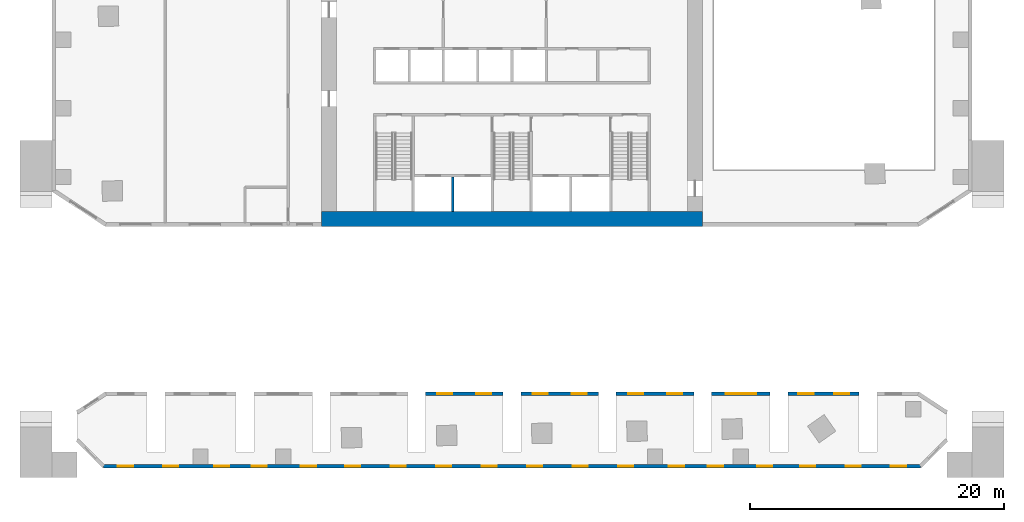
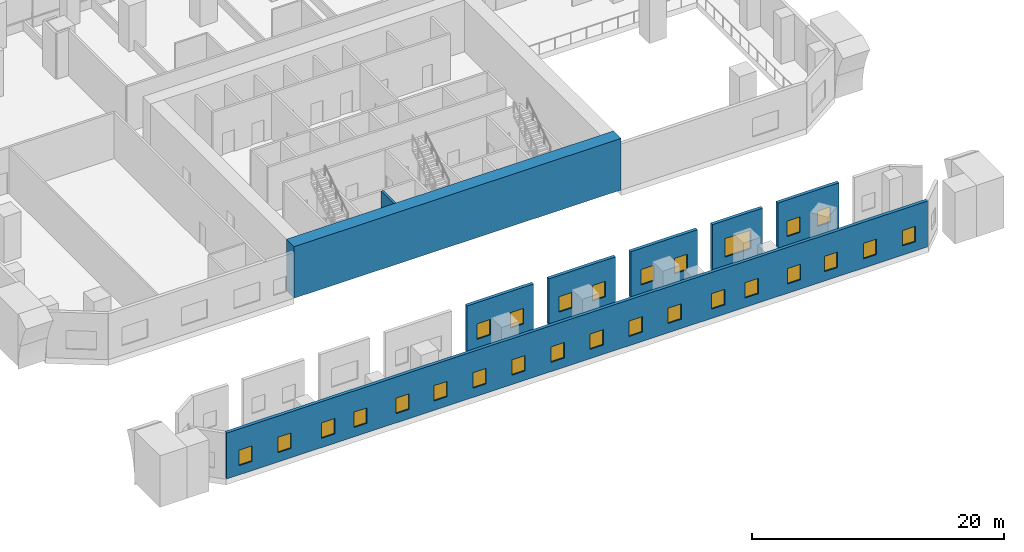
# One storey, part 6 of 12: 27 windows, 8 walls, 27 openings.
"""IFC4 building model written with IfcOpenShell, lengths in metres."""

from ifc_helpers import new_model, si_unit, direction, frame, frame_2d, origin, place, context, subcontext, project, spatial, rectangle, extrude, material, layer, layer_set, type_object, element, fill, save


model = new_model("IFC4")

# Units and contexts
model_context = context("Model", 3, precision=1e-05, world=origin(), true_north=direction((0.0, 1.0)))
body_context = subcontext(model_context, "Body", "Model", "MODEL_VIEW")
ifc_project = project(units=[si_unit("LENGTHUNIT", "METRE"), si_unit("AREAUNIT", "SQUARE_METRE"), si_unit("VOLUMEUNIT", "CUBIC_METRE"), si_unit("PLANEANGLEUNIT", "RADIAN"), si_unit("MASSUNIT", "GRAM", prefix="KILO")], contexts=[model_context])

# Site, building, storey
site_placement = place(None, origin())
site = spatial("IfcSite", under=ifc_project, at=site_placement, CompositionType="ELEMENT")
building_placement = place(site_placement, origin())
building = spatial("IfcBuilding", under=site, at=building_placement, Name="Mangrove Gate Tower", CompositionType="ELEMENT")
storey_placement = place(building_placement, frame((0.0, 0.0, 11.0)))
storey = spatial("IfcBuildingStorey", under=building, at=storey_placement, Name="L02", CompositionType="ELEMENT", Elevation=11.0)

# Walls
ifc_material_1 = material(Name="Concrete C70/85", Category="concrete")
ifc_layer_1 = layer(ifc_material_1, 0.199951171875)
ifc_layer_set_1 = layer_set([ifc_layer_1], Name="Core shaft wall 200 C70/85")
wall_type_1 = type_object("IfcWallType", Name="Core shaft wall 200 C70/85", PredefinedType="SHEAR", material=ifc_layer_set_1)
wall_1_placement = place(storey_placement, frame((-4.64990234375, -10.800048828125, 0.0), z_axis=(0.0, 0.0, 1.0), x_axis=(0.0, 1.0, 0.0)))
element("IfcWall", 1, at=wall_1_placement, inside=storey, type_object=wall_type_1, Name="WALL-L02-CORE-16", PredefinedType="SHEAR", context=body_context, shape_type="SweptSolid", body=[
    extrude(rectangle(XDim=2.699951171875, YDim=0.199951171875, at=frame_2d((1.35009765625, 0.0))), origin(), (0.0, 0.0, 1.0), 4.449951171875),
])
ifc_material_2 = material(Name="Concrete C70/85", Category="concrete")
ifc_layer_2 = layer(ifc_material_2, 1.199951171875)
ifc_layer_set_2 = layer_set([ifc_layer_2], Name="Core wall 1200 C70/85")
wall_type_2 = type_object("IfcWallType", Name="Core wall 1200 C70/85", PredefinedType="SHEAR", material=ifc_layer_set_2)
wall_2_placement = place(storey_placement, frame((-15.0, -11.39990234375, 0.0), z_axis=(0.0, 0.0, 1.0), x_axis=(1.0, 0.0, 0.0)))
element("IfcWall", 2, at=wall_2_placement, inside=storey, type_object=wall_type_2, Name="WALL-L02-CORE-1", PredefinedType="SHEAR", context=body_context, shape_type="SweptSolid", body=[
    extrude(rectangle(XDim=30.0, YDim=1.199951171875, at=frame_2d((15.0, 0.0))), origin(), (0.0, 0.0, 1.0), 5.0),
])

# Wall, openings, windows
ifc_material_3 = material(Name="Limestone", Category="masonry")
ifc_layer_3 = layer(ifc_material_3, 0.0400390625, Name="Limestone cladding")
ifc_material_4 = material(Name="Ventilated air gap")
ifc_layer_4 = layer(ifc_material_4, 0.0400390625, Name="Ventilated cavity")
ifc_material_5 = material(Name="Mineral wool insulation")
ifc_layer_5 = layer(ifc_material_5, 0.06005859375, Name="Insulation")
ifc_material_6 = material(Name="Breather membrane")
ifc_layer_6 = layer(ifc_material_6, 0.001953125, Name="Breather membrane")
ifc_material_7 = material(Name="Concrete C20/25 blockwork", Category="masonry")
ifc_layer_7 = layer(ifc_material_7, 0.14990234375, Name="Blockwork backing wall")
ifc_material_8 = material(Name="Gypsum plaster")
ifc_layer_8 = layer(ifc_material_8, 0.008056640625, Name="Internal plaster")
ifc_layer_set_3 = layer_set([ifc_layer_3, ifc_layer_4, ifc_layer_5, ifc_layer_6, ifc_layer_7, ifc_layer_8], Name="External wall 300 limestone cladding")
wall_type_3 = type_object("IfcWallType", Name="External wall 300 limestone cladding", PredefinedType="SOLIDWALL", material=ifc_layer_set_3)
wall_3_placement = place(storey_placement, frame((27.300048828125, -25.14990234375, 0.0), z_axis=(0.0, 0.0, 1.0), x_axis=(-1.0, 0.0, 0.0)))
wall_3 = element("IfcWall", 3, at=wall_3_placement, inside=storey, type_object=wall_type_3, Name="WALL-L02-N4011", PredefinedType="SOLIDWALL", context=body_context, shape_type="SweptSolid", body=[
    extrude(rectangle(XDim=5.60009765625, YDim=0.300048828125, at=frame_2d((2.800048828125, 0.0))), origin(), (0.0, 0.0, 1.0), 4.449951171875),
])
opening_1_placement = place(wall_3_placement, frame((0.763916015625, 0.0, 0.89990234375)))
opening_1 = element("IfcOpeningElement", 4, at=opening_1_placement, cuts=wall_3, Name="Opening W1", PredefinedType="OPENING", context=body_context, shape_type="SweptSolid", body=[
    extrude(rectangle(XDim=1.199951171875, YDim=1.5, at=frame_2d((0.60009765625, 0.75))), frame((0.0, 0.159912109375, 0.0), z_axis=(0.0, -1.0, 0.0), x_axis=(1.0, 0.0, 0.0)), (0.0, 0.0, 1.0), 0.320068359375),
])
opening_2_placement = place(wall_3_placement, frame((3.568115234375, 0.0, 0.89990234375)))
opening_2 = element("IfcOpeningElement", 5, at=opening_2_placement, cuts=wall_3, Name="Opening W1", PredefinedType="OPENING", context=body_context, shape_type="SweptSolid", body=[
    extrude(rectangle(XDim=1.199951171875, YDim=1.5, at=frame_2d((0.60009765625, 0.75))), frame((0.0, 0.159912109375, 0.0), z_axis=(0.0, -1.0, 0.0), x_axis=(1.0, 0.0, 0.0)), (0.0, 0.0, 1.0), 0.320068359375),
])
ifc_material_9 = material(Name="Aluminium frame with double-glazed low-e glass", Category="aluminium")
window_type_1 = type_object("IfcWindowType", Name="Side lite 1200x1500", PartitioningType="SINGLE_PANEL", PredefinedType="WINDOW", material=ifc_material_9)
window_1_placement = place(opening_1_placement, origin())
window_1 = element("IfcWindow", 6, at=window_1_placement, inside=storey, type_object=window_type_1, Name="WIN-L02-N4011-1", OverallHeight=1.5, OverallWidth=1.199951171875, PartitioningType="SINGLE_PANEL", PredefinedType="WINDOW", context=body_context, shape_type="SweptSolid", body=[
    extrude(rectangle(XDim=1.199951171875, YDim=1.5, at=frame_2d((0.60009765625, 0.75))), frame((0.0, 0.030029296875, 0.0), z_axis=(0.0, -1.0, 0.0), x_axis=(1.0, 0.0, 0.0)), (0.0, 0.0, 1.0), 0.06005859375),
])
fill(opening_1, window_1)
window_2_placement = place(opening_2_placement, origin())
window_2 = element("IfcWindow", 7, at=window_2_placement, inside=storey, type_object=window_type_1, Name="WIN-L02-N4011-2", OverallHeight=1.5, OverallWidth=1.199951171875, PartitioningType="SINGLE_PANEL", PredefinedType="WINDOW", context=body_context, shape_type="SweptSolid", body=[
    extrude(rectangle(XDim=1.199951171875, YDim=1.5, at=frame_2d((0.60009765625, 0.75))), frame((0.0, 0.030029296875, 0.0), z_axis=(0.0, -1.0, 0.0), x_axis=(1.0, 0.0, 0.0)), (0.0, 0.0, 1.0), 0.06005859375),
])
fill(opening_2, window_2)

# Wall, opening, window
wall_4_placement = place(storey_placement, frame((20.300048828125, -25.14990234375, 0.0), z_axis=(0.0, 0.0, 1.0), x_axis=(-1.0, 0.0, 0.0)))
wall_4 = element("IfcWall", 8, at=wall_4_placement, inside=storey, type_object=wall_type_3, Name="WALL-L02-N4012", PredefinedType="SOLIDWALL", context=body_context, shape_type="SweptSolid", body=[
    extrude(rectangle(XDim=4.60009765625, YDim=0.300048828125, at=frame_2d((2.300048828125, 0.0))), origin(), (0.0, 0.0, 1.0), 4.449951171875),
])
opening_3_placement = place(wall_4_placement, frame((1.074951171875, 0.0, 0.89990234375)))
opening_3 = element("IfcOpeningElement", 9, at=opening_3_placement, cuts=wall_4, Name="Opening W3", PredefinedType="OPENING", context=body_context, shape_type="SweptSolid", body=[
    extrude(rectangle(XDim=2.39990234375, YDim=1.800048828125, at=frame_2d((1.199951171875, 0.89990234375))), frame((0.0, 0.159912109375, 0.0), z_axis=(0.0, -1.0, 0.0), x_axis=(1.0, 0.0, 0.0)), (0.0, 0.0, 1.0), 0.320068359375),
])
ifc_material_10 = material(Name="Aluminium frame with double-glazed low-e glass", Category="aluminium")
window_type_2 = type_object("IfcWindowType", Name="Podium window 2400x1800", PartitioningType="DOUBLE_PANEL_VERTICAL", PredefinedType="WINDOW", material=ifc_material_10)
window_3_placement = place(opening_3_placement, origin())
window_3 = element("IfcWindow", 10, at=window_3_placement, inside=storey, type_object=window_type_2, Name="WIN-L02-N4012-1", OverallHeight=1.800048828125, OverallWidth=2.39990234375, PartitioningType="DOUBLE_PANEL_VERTICAL", PredefinedType="WINDOW", context=body_context, shape_type="SweptSolid", body=[
    extrude(rectangle(XDim=2.39990234375, YDim=1.800048828125, at=frame_2d((1.199951171875, 0.89990234375))), frame((0.0, 0.030029296875, 0.0), z_axis=(0.0, -1.0, 0.0), x_axis=(1.0, 0.0, 0.0)), (0.0, 0.0, 1.0), 0.06005859375),
])
fill(opening_3, window_3)

# Wall, openings, windows
wall_5_placement = place(storey_placement, frame((14.300048828125, -25.14990234375, 0.0), z_axis=(0.0, 0.0, 1.0), x_axis=(-1.0, 0.0, 0.0)))
wall_5 = element("IfcWall", 11, at=wall_5_placement, inside=storey, type_object=wall_type_3, Name="WALL-L02-N4013", PredefinedType="SOLIDWALL", context=body_context, shape_type="SweptSolid", body=[
    extrude(rectangle(XDim=6.10009765625, YDim=0.300048828125, at=frame_2d((3.050048828125, 0.0))), origin(), (0.0, 0.0, 1.0), 4.449951171875),
])
opening_4_placement = place(wall_5_placement, frame((0.906982421875, 0.0, 0.89990234375)))
opening_4 = element("IfcOpeningElement", 12, at=opening_4_placement, cuts=wall_5, Name="Opening W1", PredefinedType="OPENING", context=body_context, shape_type="SweptSolid", body=[
    extrude(rectangle(XDim=1.199951171875, YDim=1.5, at=frame_2d((0.60009765625, 0.75))), frame((0.0, 0.159912109375, 0.0), z_axis=(0.0, -1.0, 0.0), x_axis=(1.0, 0.0, 0.0)), (0.0, 0.0, 1.0), 0.320068359375),
])
opening_5_placement = place(wall_5_placement, frame((3.9609375, 0.0, 0.89990234375)))
opening_5 = element("IfcOpeningElement", 13, at=opening_5_placement, cuts=wall_5, Name="Opening W1", PredefinedType="OPENING", context=body_context, shape_type="SweptSolid", body=[
    extrude(rectangle(XDim=1.199951171875, YDim=1.5, at=frame_2d((0.60009765625, 0.75))), frame((0.0, 0.159912109375, 0.0), z_axis=(0.0, -1.0, 0.0), x_axis=(1.0, 0.0, 0.0)), (0.0, 0.0, 1.0), 0.320068359375),
])
window_4_placement = place(opening_4_placement, origin())
window_4 = element("IfcWindow", 14, at=window_4_placement, inside=storey, type_object=window_type_1, Name="WIN-L02-N4013-1", OverallHeight=1.5, OverallWidth=1.199951171875, PartitioningType="SINGLE_PANEL", PredefinedType="WINDOW", context=body_context, shape_type="SweptSolid", body=[
    extrude(rectangle(XDim=1.199951171875, YDim=1.5, at=frame_2d((0.60009765625, 0.75))), frame((0.0, 0.030029296875, 0.0), z_axis=(0.0, -1.0, 0.0), x_axis=(1.0, 0.0, 0.0)), (0.0, 0.0, 1.0), 0.06005859375),
])
fill(opening_4, window_4)
window_5_placement = place(opening_5_placement, origin())
window_5 = element("IfcWindow", 15, at=window_5_placement, inside=storey, type_object=window_type_1, Name="WIN-L02-N4013-2", OverallHeight=1.5, OverallWidth=1.199951171875, PartitioningType="SINGLE_PANEL", PredefinedType="WINDOW", context=body_context, shape_type="SweptSolid", body=[
    extrude(rectangle(XDim=1.199951171875, YDim=1.5, at=frame_2d((0.60009765625, 0.75))), frame((0.0, 0.030029296875, 0.0), z_axis=(0.0, -1.0, 0.0), x_axis=(1.0, 0.0, 0.0)), (0.0, 0.0, 1.0), 0.06005859375),
])
fill(opening_5, window_5)

wall_6_placement = place(storey_placement, frame((6.800048828125, -25.14990234375, 0.0), z_axis=(0.0, 0.0, 1.0), x_axis=(-1.0, 0.0, 0.0)))
wall_6 = element("IfcWall", 16, at=wall_6_placement, inside=storey, type_object=wall_type_3, Name="WALL-L02-N4014", PredefinedType="SOLIDWALL", context=body_context, shape_type="SweptSolid", body=[
    extrude(rectangle(XDim=6.10009765625, YDim=0.300048828125, at=frame_2d((3.050048828125, 0.0))), origin(), (0.0, 0.0, 1.0), 4.449951171875),
])
opening_6_placement = place(wall_6_placement, frame((0.91796875, 0.0, 0.89990234375)))
opening_6 = element("IfcOpeningElement", 17, at=opening_6_placement, cuts=wall_6, Name="Opening W1", PredefinedType="OPENING", context=body_context, shape_type="SweptSolid", body=[
    extrude(rectangle(XDim=1.199951171875, YDim=1.5, at=frame_2d((0.60009765625, 0.75))), frame((0.0, 0.159912109375, 0.0), z_axis=(0.0, -1.0, 0.0), x_axis=(1.0, 0.0, 0.0)), (0.0, 0.0, 1.0), 0.320068359375),
])
opening_7_placement = place(wall_6_placement, frame((3.971923828125, 0.0, 0.89990234375)))
opening_7 = element("IfcOpeningElement", 18, at=opening_7_placement, cuts=wall_6, Name="Opening W1", PredefinedType="OPENING", context=body_context, shape_type="SweptSolid", body=[
    extrude(rectangle(XDim=1.199951171875, YDim=1.5, at=frame_2d((0.60009765625, 0.75))), frame((0.0, 0.159912109375, 0.0), z_axis=(0.0, -1.0, 0.0), x_axis=(1.0, 0.0, 0.0)), (0.0, 0.0, 1.0), 0.320068359375),
])
window_6_placement = place(opening_6_placement, origin())
window_6 = element("IfcWindow", 19, at=window_6_placement, inside=storey, type_object=window_type_1, Name="WIN-L02-N4014-1", OverallHeight=1.5, OverallWidth=1.199951171875, PartitioningType="SINGLE_PANEL", PredefinedType="WINDOW", context=body_context, shape_type="SweptSolid", body=[
    extrude(rectangle(XDim=1.199951171875, YDim=1.5, at=frame_2d((0.60009765625, 0.75))), frame((0.0, 0.030029296875, 0.0), z_axis=(0.0, -1.0, 0.0), x_axis=(1.0, 0.0, 0.0)), (0.0, 0.0, 1.0), 0.06005859375),
])
fill(opening_6, window_6)
window_7_placement = place(opening_7_placement, origin())
window_7 = element("IfcWindow", 20, at=window_7_placement, inside=storey, type_object=window_type_1, Name="WIN-L02-N4014-2", OverallHeight=1.5, OverallWidth=1.199951171875, PartitioningType="SINGLE_PANEL", PredefinedType="WINDOW", context=body_context, shape_type="SweptSolid", body=[
    extrude(rectangle(XDim=1.199951171875, YDim=1.5, at=frame_2d((0.60009765625, 0.75))), frame((0.0, 0.030029296875, 0.0), z_axis=(0.0, -1.0, 0.0), x_axis=(1.0, 0.0, 0.0)), (0.0, 0.0, 1.0), 0.06005859375),
])
fill(opening_7, window_7)

wall_7_placement = place(storey_placement, frame((-0.699951171875, -25.14990234375, 0.0), z_axis=(0.0, 0.0, 1.0), x_axis=(-1.0, 0.0, 0.0)))
wall_7 = element("IfcWall", 21, at=wall_7_placement, inside=storey, type_object=wall_type_3, Name="WALL-L02-N4015", PredefinedType="SOLIDWALL", context=body_context, shape_type="SweptSolid", body=[
    extrude(rectangle(XDim=6.10009765625, YDim=0.300048828125, at=frame_2d((3.050048828125, 0.0))), origin(), (0.0, 0.0, 1.0), 4.449951171875),
])
opening_8_placement = place(wall_7_placement, frame((0.927978515625, 0.0, 0.89990234375)))
opening_8 = element("IfcOpeningElement", 22, at=opening_8_placement, cuts=wall_7, Name="Opening W1", PredefinedType="OPENING", context=body_context, shape_type="SweptSolid", body=[
    extrude(rectangle(XDim=1.199951171875, YDim=1.5, at=frame_2d((0.60009765625, 0.75))), frame((0.0, 0.159912109375, 0.0), z_axis=(0.0, -1.0, 0.0), x_axis=(1.0, 0.0, 0.0)), (0.0, 0.0, 1.0), 0.320068359375),
])
opening_9_placement = place(wall_7_placement, frame((3.98193359375, 0.0, 0.89990234375)))
opening_9 = element("IfcOpeningElement", 23, at=opening_9_placement, cuts=wall_7, Name="Opening W1", PredefinedType="OPENING", context=body_context, shape_type="SweptSolid", body=[
    extrude(rectangle(XDim=1.199951171875, YDim=1.5, at=frame_2d((0.60009765625, 0.75))), frame((0.0, 0.159912109375, 0.0), z_axis=(0.0, -1.0, 0.0), x_axis=(1.0, 0.0, 0.0)), (0.0, 0.0, 1.0), 0.320068359375),
])
window_8_placement = place(opening_8_placement, origin())
window_8 = element("IfcWindow", 24, at=window_8_placement, inside=storey, type_object=window_type_1, Name="WIN-L02-N4015-1", OverallHeight=1.5, OverallWidth=1.199951171875, PartitioningType="SINGLE_PANEL", PredefinedType="WINDOW", context=body_context, shape_type="SweptSolid", body=[
    extrude(rectangle(XDim=1.199951171875, YDim=1.5, at=frame_2d((0.60009765625, 0.75))), frame((0.0, 0.030029296875, 0.0), z_axis=(0.0, -1.0, 0.0), x_axis=(1.0, 0.0, 0.0)), (0.0, 0.0, 1.0), 0.06005859375),
])
fill(opening_8, window_8)
window_9_placement = place(opening_9_placement, origin())
window_9 = element("IfcWindow", 25, at=window_9_placement, inside=storey, type_object=window_type_1, Name="WIN-L02-N4015-2", OverallHeight=1.5, OverallWidth=1.199951171875, PartitioningType="SINGLE_PANEL", PredefinedType="WINDOW", context=body_context, shape_type="SweptSolid", body=[
    extrude(rectangle(XDim=1.199951171875, YDim=1.5, at=frame_2d((0.60009765625, 0.75))), frame((0.0, 0.030029296875, 0.0), z_axis=(0.0, -1.0, 0.0), x_axis=(1.0, 0.0, 0.0)), (0.0, 0.0, 1.0), 0.06005859375),
])
fill(opening_9, window_9)

wall_8_placement = place(storey_placement, frame((-32.137939453125, -30.85009765625, 0.0), z_axis=(0.0, 0.0, 1.0), x_axis=(1.0, 0.0, 0.0)))
wall_8 = element("IfcWall", 26, at=wall_8_placement, inside=storey, type_object=wall_type_3, Name="WALL-L02-S4", PredefinedType="SOLIDWALL", context=body_context, shape_type="SweptSolid", body=[
    extrude(rectangle(XDim=64.27587890625, YDim=0.300048828125, at=frame_2d((32.137939453125, 0.0))), origin(), (0.0, 0.0, 1.0), 4.449951171875),
])
opening_10_placement = place(wall_8_placement, frame((1.126953125, 0.0, 0.89990234375)))
opening_10 = element("IfcOpeningElement", 27, at=opening_10_placement, cuts=wall_8, Name="Opening W1", PredefinedType="OPENING", context=body_context, shape_type="SweptSolid", body=[
    extrude(rectangle(XDim=1.199951171875, YDim=1.5, at=frame_2d((0.60009765625, 0.75))), frame((0.0, 0.159912109375, 0.0), z_axis=(0.0, -1.0, 0.0), x_axis=(1.0, 0.0, 0.0)), (0.0, 0.0, 1.0), 0.320068359375),
])
opening_11_placement = place(wall_8_placement, frame((4.705078125, 0.0, 0.89990234375)))
opening_11 = element("IfcOpeningElement", 28, at=opening_11_placement, cuts=wall_8, Name="Opening W1", PredefinedType="OPENING", context=body_context, shape_type="SweptSolid", body=[
    extrude(rectangle(XDim=1.199951171875, YDim=1.5, at=frame_2d((0.60009765625, 0.75))), frame((0.0, 0.159912109375, 0.0), z_axis=(0.0, -1.0, 0.0), x_axis=(1.0, 0.0, 0.0)), (0.0, 0.0, 1.0), 0.320068359375),
])
opening_12_placement = place(wall_8_placement, frame((8.705078125, 0.0, 0.89990234375)))
opening_12 = element("IfcOpeningElement", 29, at=opening_12_placement, cuts=wall_8, Name="Opening W1", PredefinedType="OPENING", context=body_context, shape_type="SweptSolid", body=[
    extrude(rectangle(XDim=1.199951171875, YDim=1.5, at=frame_2d((0.60009765625, 0.75))), frame((0.0, 0.159912109375, 0.0), z_axis=(0.0, -1.0, 0.0), x_axis=(1.0, 0.0, 0.0)), (0.0, 0.0, 1.0), 0.320068359375),
])
opening_13_placement = place(wall_8_placement, frame((11.655029296875, 0.0, 0.89990234375)))
opening_13 = element("IfcOpeningElement", 30, at=opening_13_placement, cuts=wall_8, Name="Opening W1", PredefinedType="OPENING", context=body_context, shape_type="SweptSolid", body=[
    extrude(rectangle(XDim=1.199951171875, YDim=1.5, at=frame_2d((0.60009765625, 0.75))), frame((0.0, 0.159912109375, 0.0), z_axis=(0.0, -1.0, 0.0), x_axis=(1.0, 0.0, 0.0)), (0.0, 0.0, 1.0), 0.320068359375),
])
opening_14_placement = place(wall_8_placement, frame((15.531982421875, 0.0, 0.89990234375)))
opening_14 = element("IfcOpeningElement", 31, at=opening_14_placement, cuts=wall_8, Name="Opening W1", PredefinedType="OPENING", context=body_context, shape_type="SweptSolid", body=[
    extrude(rectangle(XDim=1.199951171875, YDim=1.5, at=frame_2d((0.60009765625, 0.75))), frame((0.0, 0.159912109375, 0.0), z_axis=(0.0, -1.0, 0.0), x_axis=(1.0, 0.0, 0.0)), (0.0, 0.0, 1.0), 0.320068359375),
])
opening_15_placement = place(wall_8_placement, frame((19.01611328125, 0.0, 0.89990234375)))
opening_15 = element("IfcOpeningElement", 32, at=opening_15_placement, cuts=wall_8, Name="Opening W1", PredefinedType="OPENING", context=body_context, shape_type="SweptSolid", body=[
    extrude(rectangle(XDim=1.199951171875, YDim=1.5, at=frame_2d((0.60009765625, 0.75))), frame((0.0, 0.159912109375, 0.0), z_axis=(0.0, -1.0, 0.0), x_axis=(1.0, 0.0, 0.0)), (0.0, 0.0, 1.0), 0.320068359375),
])
opening_16_placement = place(wall_8_placement, frame((22.593017578125, 0.0, 0.89990234375)))
opening_16 = element("IfcOpeningElement", 33, at=opening_16_placement, cuts=wall_8, Name="Opening W1", PredefinedType="OPENING", context=body_context, shape_type="SweptSolid", body=[
    extrude(rectangle(XDim=1.199951171875, YDim=1.5, at=frame_2d((0.60009765625, 0.75))), frame((0.0, 0.159912109375, 0.0), z_axis=(0.0, -1.0, 0.0), x_axis=(1.0, 0.0, 0.0)), (0.0, 0.0, 1.0), 0.320068359375),
])
opening_17_placement = place(wall_8_placement, frame((26.1708984375, 0.0, 0.89990234375)))
opening_17 = element("IfcOpeningElement", 34, at=opening_17_placement, cuts=wall_8, Name="Opening W1", PredefinedType="OPENING", context=body_context, shape_type="SweptSolid", body=[
    extrude(rectangle(XDim=1.199951171875, YDim=1.5, at=frame_2d((0.60009765625, 0.75))), frame((0.0, 0.159912109375, 0.0), z_axis=(0.0, -1.0, 0.0), x_axis=(1.0, 0.0, 0.0)), (0.0, 0.0, 1.0), 0.320068359375),
])
opening_18_placement = place(wall_8_placement, frame((29.7490234375, 0.0, 0.89990234375)))
opening_18 = element("IfcOpeningElement", 35, at=opening_18_placement, cuts=wall_8, Name="Opening W1", PredefinedType="OPENING", context=body_context, shape_type="SweptSolid", body=[
    extrude(rectangle(XDim=1.199951171875, YDim=1.5, at=frame_2d((0.60009765625, 0.75))), frame((0.0, 0.159912109375, 0.0), z_axis=(0.0, -1.0, 0.0), x_axis=(1.0, 0.0, 0.0)), (0.0, 0.0, 1.0), 0.320068359375),
])
opening_19_placement = place(wall_8_placement, frame((33.326904296875, 0.0, 0.89990234375)))
opening_19 = element("IfcOpeningElement", 36, at=opening_19_placement, cuts=wall_8, Name="Opening W1", PredefinedType="OPENING", context=body_context, shape_type="SweptSolid", body=[
    extrude(rectangle(XDim=1.199951171875, YDim=1.5, at=frame_2d((0.60009765625, 0.75))), frame((0.0, 0.159912109375, 0.0), z_axis=(0.0, -1.0, 0.0), x_axis=(1.0, 0.0, 0.0)), (0.0, 0.0, 1.0), 0.320068359375),
])
opening_20_placement = place(wall_8_placement, frame((36.905029296875, 0.0, 0.89990234375)))
opening_20 = element("IfcOpeningElement", 37, at=opening_20_placement, cuts=wall_8, Name="Opening W1", PredefinedType="OPENING", context=body_context, shape_type="SweptSolid", body=[
    extrude(rectangle(XDim=1.199951171875, YDim=1.5, at=frame_2d((0.60009765625, 0.75))), frame((0.0, 0.159912109375, 0.0), z_axis=(0.0, -1.0, 0.0), x_axis=(1.0, 0.0, 0.0)), (0.0, 0.0, 1.0), 0.320068359375),
])
opening_21_placement = place(wall_8_placement, frame((40.48193359375, 0.0, 0.89990234375)))
opening_21 = element("IfcOpeningElement", 38, at=opening_21_placement, cuts=wall_8, Name="Opening W1", PredefinedType="OPENING", context=body_context, shape_type="SweptSolid", body=[
    extrude(rectangle(XDim=1.199951171875, YDim=1.5, at=frame_2d((0.60009765625, 0.75))), frame((0.0, 0.159912109375, 0.0), z_axis=(0.0, -1.0, 0.0), x_axis=(1.0, 0.0, 0.0)), (0.0, 0.0, 1.0), 0.320068359375),
])
opening_22_placement = place(wall_8_placement, frame((44.468017578125, 0.0, 0.89990234375)))
opening_22 = element("IfcOpeningElement", 39, at=opening_22_placement, cuts=wall_8, Name="Opening W1", PredefinedType="OPENING", context=body_context, shape_type="SweptSolid", body=[
    extrude(rectangle(XDim=1.199951171875, YDim=1.5, at=frame_2d((0.60009765625, 0.75))), frame((0.0, 0.159912109375, 0.0), z_axis=(0.0, -1.0, 0.0), x_axis=(1.0, 0.0, 0.0)), (0.0, 0.0, 1.0), 0.320068359375),
])
opening_23_placement = place(wall_8_placement, frame((47.54296875, 0.0, 0.89990234375)))
opening_23 = element("IfcOpeningElement", 40, at=opening_23_placement, cuts=wall_8, Name="Opening W1", PredefinedType="OPENING", context=body_context, shape_type="SweptSolid", body=[
    extrude(rectangle(XDim=1.199951171875, YDim=1.5, at=frame_2d((0.60009765625, 0.75))), frame((0.0, 0.159912109375, 0.0), z_axis=(0.0, -1.0, 0.0), x_axis=(1.0, 0.0, 0.0)), (0.0, 0.0, 1.0), 0.320068359375),
])
opening_24_placement = place(wall_8_placement, frame((51.4208984375, 0.0, 0.89990234375)))
opening_24 = element("IfcOpeningElement", 41, at=opening_24_placement, cuts=wall_8, Name="Opening W1", PredefinedType="OPENING", context=body_context, shape_type="SweptSolid", body=[
    extrude(rectangle(XDim=1.199951171875, YDim=1.5, at=frame_2d((0.60009765625, 0.75))), frame((0.0, 0.159912109375, 0.0), z_axis=(0.0, -1.0, 0.0), x_axis=(1.0, 0.0, 0.0)), (0.0, 0.0, 1.0), 0.320068359375),
])
opening_25_placement = place(wall_8_placement, frame((54.79296875, 0.0, 0.89990234375)))
opening_25 = element("IfcOpeningElement", 42, at=opening_25_placement, cuts=wall_8, Name="Opening W1", PredefinedType="OPENING", context=body_context, shape_type="SweptSolid", body=[
    extrude(rectangle(XDim=1.199951171875, YDim=1.5, at=frame_2d((0.60009765625, 0.75))), frame((0.0, 0.159912109375, 0.0), z_axis=(0.0, -1.0, 0.0), x_axis=(1.0, 0.0, 0.0)), (0.0, 0.0, 1.0), 0.320068359375),
])
opening_26_placement = place(wall_8_placement, frame((58.37109375, 0.0, 0.89990234375)))
opening_26 = element("IfcOpeningElement", 43, at=opening_26_placement, cuts=wall_8, Name="Opening W1", PredefinedType="OPENING", context=body_context, shape_type="SweptSolid", body=[
    extrude(rectangle(XDim=1.199951171875, YDim=1.5, at=frame_2d((0.60009765625, 0.75))), frame((0.0, 0.159912109375, 0.0), z_axis=(0.0, -1.0, 0.0), x_axis=(1.0, 0.0, 0.0)), (0.0, 0.0, 1.0), 0.320068359375),
])
opening_27_placement = place(wall_8_placement, frame((61.948974609375, 0.0, 0.89990234375)))
opening_27 = element("IfcOpeningElement", 44, at=opening_27_placement, cuts=wall_8, Name="Opening W1", PredefinedType="OPENING", context=body_context, shape_type="SweptSolid", body=[
    extrude(rectangle(XDim=1.199951171875, YDim=1.5, at=frame_2d((0.60009765625, 0.75))), frame((0.0, 0.159912109375, 0.0), z_axis=(0.0, -1.0, 0.0), x_axis=(1.0, 0.0, 0.0)), (0.0, 0.0, 1.0), 0.320068359375),
])
window_10_placement = place(opening_10_placement, origin())
window_10 = element("IfcWindow", 45, at=window_10_placement, inside=storey, type_object=window_type_1, Name="WIN-L02-S4-1", OverallHeight=1.5, OverallWidth=1.199951171875, PartitioningType="SINGLE_PANEL", PredefinedType="WINDOW", context=body_context, shape_type="SweptSolid", body=[
    extrude(rectangle(XDim=1.199951171875, YDim=1.5, at=frame_2d((0.60009765625, 0.75))), frame((0.0, 0.030029296875, 0.0), z_axis=(0.0, -1.0, 0.0), x_axis=(1.0, 0.0, 0.0)), (0.0, 0.0, 1.0), 0.06005859375),
])
fill(opening_10, window_10)
window_11_placement = place(opening_11_placement, origin())
window_11 = element("IfcWindow", 46, at=window_11_placement, inside=storey, type_object=window_type_1, Name="WIN-L02-S4-2", OverallHeight=1.5, OverallWidth=1.199951171875, PartitioningType="SINGLE_PANEL", PredefinedType="WINDOW", context=body_context, shape_type="SweptSolid", body=[
    extrude(rectangle(XDim=1.199951171875, YDim=1.5, at=frame_2d((0.60009765625, 0.75))), frame((0.0, 0.030029296875, 0.0), z_axis=(0.0, -1.0, 0.0), x_axis=(1.0, 0.0, 0.0)), (0.0, 0.0, 1.0), 0.06005859375),
])
fill(opening_11, window_11)
window_12_placement = place(opening_12_placement, origin())
window_12 = element("IfcWindow", 47, at=window_12_placement, inside=storey, type_object=window_type_1, Name="WIN-L02-S4-3", OverallHeight=1.5, OverallWidth=1.199951171875, PartitioningType="SINGLE_PANEL", PredefinedType="WINDOW", context=body_context, shape_type="SweptSolid", body=[
    extrude(rectangle(XDim=1.199951171875, YDim=1.5, at=frame_2d((0.60009765625, 0.75))), frame((0.0, 0.030029296875, 0.0), z_axis=(0.0, -1.0, 0.0), x_axis=(1.0, 0.0, 0.0)), (0.0, 0.0, 1.0), 0.06005859375),
])
fill(opening_12, window_12)
window_13_placement = place(opening_13_placement, origin())
window_13 = element("IfcWindow", 48, at=window_13_placement, inside=storey, type_object=window_type_1, Name="WIN-L02-S4-4", OverallHeight=1.5, OverallWidth=1.199951171875, PartitioningType="SINGLE_PANEL", PredefinedType="WINDOW", context=body_context, shape_type="SweptSolid", body=[
    extrude(rectangle(XDim=1.199951171875, YDim=1.5, at=frame_2d((0.60009765625, 0.75))), frame((0.0, 0.030029296875, 0.0), z_axis=(0.0, -1.0, 0.0), x_axis=(1.0, 0.0, 0.0)), (0.0, 0.0, 1.0), 0.06005859375),
])
fill(opening_13, window_13)
window_14_placement = place(opening_14_placement, origin())
window_14 = element("IfcWindow", 49, at=window_14_placement, inside=storey, type_object=window_type_1, Name="WIN-L02-S4-5", OverallHeight=1.5, OverallWidth=1.199951171875, PartitioningType="SINGLE_PANEL", PredefinedType="WINDOW", context=body_context, shape_type="SweptSolid", body=[
    extrude(rectangle(XDim=1.199951171875, YDim=1.5, at=frame_2d((0.60009765625, 0.75))), frame((0.0, 0.030029296875, 0.0), z_axis=(0.0, -1.0, 0.0), x_axis=(1.0, 0.0, 0.0)), (0.0, 0.0, 1.0), 0.06005859375),
])
fill(opening_14, window_14)
window_15_placement = place(opening_15_placement, origin())
window_15 = element("IfcWindow", 50, at=window_15_placement, inside=storey, type_object=window_type_1, Name="WIN-L02-S4-6", OverallHeight=1.5, OverallWidth=1.199951171875, PartitioningType="SINGLE_PANEL", PredefinedType="WINDOW", context=body_context, shape_type="SweptSolid", body=[
    extrude(rectangle(XDim=1.199951171875, YDim=1.5, at=frame_2d((0.60009765625, 0.75))), frame((0.0, 0.030029296875, 0.0), z_axis=(0.0, -1.0, 0.0), x_axis=(1.0, 0.0, 0.0)), (0.0, 0.0, 1.0), 0.06005859375),
])
fill(opening_15, window_15)
window_16_placement = place(opening_16_placement, origin())
window_16 = element("IfcWindow", 51, at=window_16_placement, inside=storey, type_object=window_type_1, Name="WIN-L02-S4-7", OverallHeight=1.5, OverallWidth=1.199951171875, PartitioningType="SINGLE_PANEL", PredefinedType="WINDOW", context=body_context, shape_type="SweptSolid", body=[
    extrude(rectangle(XDim=1.199951171875, YDim=1.5, at=frame_2d((0.60009765625, 0.75))), frame((0.0, 0.030029296875, 0.0), z_axis=(0.0, -1.0, 0.0), x_axis=(1.0, 0.0, 0.0)), (0.0, 0.0, 1.0), 0.06005859375),
])
fill(opening_16, window_16)
window_17_placement = place(opening_17_placement, origin())
window_17 = element("IfcWindow", 52, at=window_17_placement, inside=storey, type_object=window_type_1, Name="WIN-L02-S4-8", OverallHeight=1.5, OverallWidth=1.199951171875, PartitioningType="SINGLE_PANEL", PredefinedType="WINDOW", context=body_context, shape_type="SweptSolid", body=[
    extrude(rectangle(XDim=1.199951171875, YDim=1.5, at=frame_2d((0.60009765625, 0.75))), frame((0.0, 0.030029296875, 0.0), z_axis=(0.0, -1.0, 0.0), x_axis=(1.0, 0.0, 0.0)), (0.0, 0.0, 1.0), 0.06005859375),
])
fill(opening_17, window_17)
window_18_placement = place(opening_18_placement, origin())
window_18 = element("IfcWindow", 53, at=window_18_placement, inside=storey, type_object=window_type_1, Name="WIN-L02-S4-9", OverallHeight=1.5, OverallWidth=1.199951171875, PartitioningType="SINGLE_PANEL", PredefinedType="WINDOW", context=body_context, shape_type="SweptSolid", body=[
    extrude(rectangle(XDim=1.199951171875, YDim=1.5, at=frame_2d((0.60009765625, 0.75))), frame((0.0, 0.030029296875, 0.0), z_axis=(0.0, -1.0, 0.0), x_axis=(1.0, 0.0, 0.0)), (0.0, 0.0, 1.0), 0.06005859375),
])
fill(opening_18, window_18)
window_19_placement = place(opening_19_placement, origin())
window_19 = element("IfcWindow", 54, at=window_19_placement, inside=storey, type_object=window_type_1, Name="WIN-L02-S4-10", OverallHeight=1.5, OverallWidth=1.199951171875, PartitioningType="SINGLE_PANEL", PredefinedType="WINDOW", context=body_context, shape_type="SweptSolid", body=[
    extrude(rectangle(XDim=1.199951171875, YDim=1.5, at=frame_2d((0.60009765625, 0.75))), frame((0.0, 0.030029296875, 0.0), z_axis=(0.0, -1.0, 0.0), x_axis=(1.0, 0.0, 0.0)), (0.0, 0.0, 1.0), 0.06005859375),
])
fill(opening_19, window_19)
window_20_placement = place(opening_20_placement, origin())
window_20 = element("IfcWindow", 55, at=window_20_placement, inside=storey, type_object=window_type_1, Name="WIN-L02-S4-11", OverallHeight=1.5, OverallWidth=1.199951171875, PartitioningType="SINGLE_PANEL", PredefinedType="WINDOW", context=body_context, shape_type="SweptSolid", body=[
    extrude(rectangle(XDim=1.199951171875, YDim=1.5, at=frame_2d((0.60009765625, 0.75))), frame((0.0, 0.030029296875, 0.0), z_axis=(0.0, -1.0, 0.0), x_axis=(1.0, 0.0, 0.0)), (0.0, 0.0, 1.0), 0.06005859375),
])
fill(opening_20, window_20)
window_21_placement = place(opening_21_placement, origin())
window_21 = element("IfcWindow", 56, at=window_21_placement, inside=storey, type_object=window_type_1, Name="WIN-L02-S4-12", OverallHeight=1.5, OverallWidth=1.199951171875, PartitioningType="SINGLE_PANEL", PredefinedType="WINDOW", context=body_context, shape_type="SweptSolid", body=[
    extrude(rectangle(XDim=1.199951171875, YDim=1.5, at=frame_2d((0.60009765625, 0.75))), frame((0.0, 0.030029296875, 0.0), z_axis=(0.0, -1.0, 0.0), x_axis=(1.0, 0.0, 0.0)), (0.0, 0.0, 1.0), 0.06005859375),
])
fill(opening_21, window_21)
window_22_placement = place(opening_22_placement, origin())
window_22 = element("IfcWindow", 57, at=window_22_placement, inside=storey, type_object=window_type_1, Name="WIN-L02-S4-13", OverallHeight=1.5, OverallWidth=1.199951171875, PartitioningType="SINGLE_PANEL", PredefinedType="WINDOW", context=body_context, shape_type="SweptSolid", body=[
    extrude(rectangle(XDim=1.199951171875, YDim=1.5, at=frame_2d((0.60009765625, 0.75))), frame((0.0, 0.030029296875, 0.0), z_axis=(0.0, -1.0, 0.0), x_axis=(1.0, 0.0, 0.0)), (0.0, 0.0, 1.0), 0.06005859375),
])
fill(opening_22, window_22)
window_23_placement = place(opening_23_placement, origin())
window_23 = element("IfcWindow", 58, at=window_23_placement, inside=storey, type_object=window_type_1, Name="WIN-L02-S4-14", OverallHeight=1.5, OverallWidth=1.199951171875, PartitioningType="SINGLE_PANEL", PredefinedType="WINDOW", context=body_context, shape_type="SweptSolid", body=[
    extrude(rectangle(XDim=1.199951171875, YDim=1.5, at=frame_2d((0.60009765625, 0.75))), frame((0.0, 0.030029296875, 0.0), z_axis=(0.0, -1.0, 0.0), x_axis=(1.0, 0.0, 0.0)), (0.0, 0.0, 1.0), 0.06005859375),
])
fill(opening_23, window_23)
window_24_placement = place(opening_24_placement, origin())
window_24 = element("IfcWindow", 59, at=window_24_placement, inside=storey, type_object=window_type_1, Name="WIN-L02-S4-15", OverallHeight=1.5, OverallWidth=1.199951171875, PartitioningType="SINGLE_PANEL", PredefinedType="WINDOW", context=body_context, shape_type="SweptSolid", body=[
    extrude(rectangle(XDim=1.199951171875, YDim=1.5, at=frame_2d((0.60009765625, 0.75))), frame((0.0, 0.030029296875, 0.0), z_axis=(0.0, -1.0, 0.0), x_axis=(1.0, 0.0, 0.0)), (0.0, 0.0, 1.0), 0.06005859375),
])
fill(opening_24, window_24)
window_25_placement = place(opening_25_placement, origin())
window_25 = element("IfcWindow", 60, at=window_25_placement, inside=storey, type_object=window_type_1, Name="WIN-L02-S4-16", OverallHeight=1.5, OverallWidth=1.199951171875, PartitioningType="SINGLE_PANEL", PredefinedType="WINDOW", context=body_context, shape_type="SweptSolid", body=[
    extrude(rectangle(XDim=1.199951171875, YDim=1.5, at=frame_2d((0.60009765625, 0.75))), frame((0.0, 0.030029296875, 0.0), z_axis=(0.0, -1.0, 0.0), x_axis=(1.0, 0.0, 0.0)), (0.0, 0.0, 1.0), 0.06005859375),
])
fill(opening_25, window_25)
window_26_placement = place(opening_26_placement, origin())
window_26 = element("IfcWindow", 61, at=window_26_placement, inside=storey, type_object=window_type_1, Name="WIN-L02-S4-17", OverallHeight=1.5, OverallWidth=1.199951171875, PartitioningType="SINGLE_PANEL", PredefinedType="WINDOW", context=body_context, shape_type="SweptSolid", body=[
    extrude(rectangle(XDim=1.199951171875, YDim=1.5, at=frame_2d((0.60009765625, 0.75))), frame((0.0, 0.030029296875, 0.0), z_axis=(0.0, -1.0, 0.0), x_axis=(1.0, 0.0, 0.0)), (0.0, 0.0, 1.0), 0.06005859375),
])
fill(opening_26, window_26)
window_27_placement = place(opening_27_placement, origin())
window_27 = element("IfcWindow", 62, at=window_27_placement, inside=storey, type_object=window_type_1, Name="WIN-L02-S4-18", OverallHeight=1.5, OverallWidth=1.199951171875, PartitioningType="SINGLE_PANEL", PredefinedType="WINDOW", context=body_context, shape_type="SweptSolid", body=[
    extrude(rectangle(XDim=1.199951171875, YDim=1.5, at=frame_2d((0.60009765625, 0.75))), frame((0.0, 0.030029296875, 0.0), z_axis=(0.0, -1.0, 0.0), x_axis=(1.0, 0.0, 0.0)), (0.0, 0.0, 1.0), 0.06005859375),
])
fill(opening_27, window_27)

save(model, "model.ifc")
